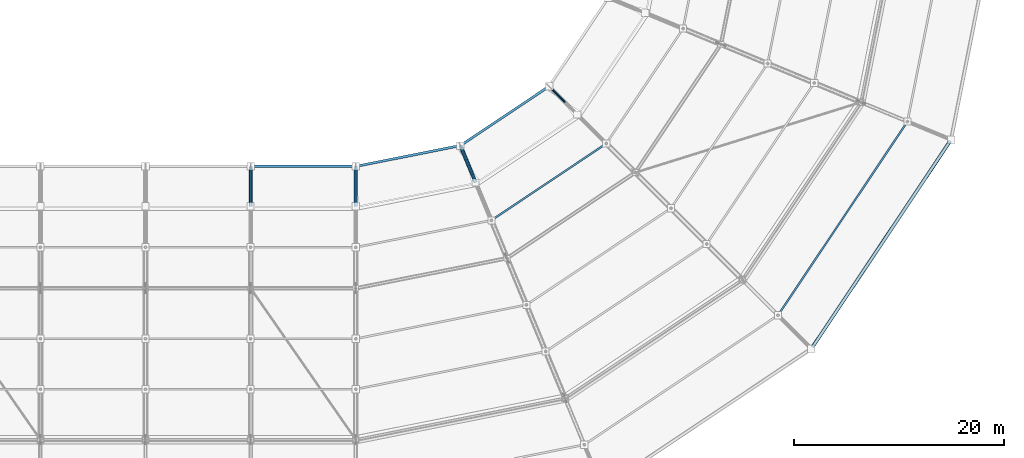
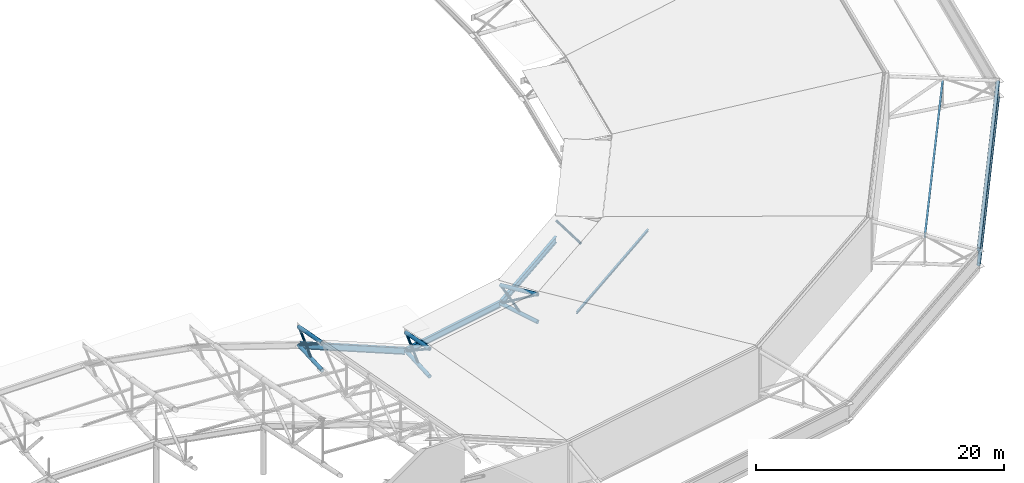
# One storey, part 66 of 146: 17 members, 3 beams.
"""IFC4 building model written with IfcOpenShell, lengths in metres."""

from ifc_helpers import new_model, si_unit, direction, frame, origin, origin_2d, place, context, subcontext, project, spatial, hollow_circle, i_section, extrude, material, material_profile, profile_set, type_object, element, save


model = new_model("IFC4")

# Units and contexts
model_context = context("Model", 3, precision=1e-05, world=origin(), true_north=direction((0.0, 1.0)))
body_context = subcontext(model_context, "Body", "Model", "MODEL_VIEW")
ifc_project = project(units=[si_unit("LENGTHUNIT", "METRE"), si_unit("AREAUNIT", "SQUARE_METRE"), si_unit("VOLUMEUNIT", "CUBIC_METRE"), si_unit("PLANEANGLEUNIT", "RADIAN"), si_unit("MASSUNIT", "GRAM", prefix="KILO")], contexts=[model_context])

# Site, building, storey
site_placement = place(None, origin())
site = spatial("IfcSite", under=ifc_project, at=site_placement, CompositionType="ELEMENT")
building_placement = place(site_placement, origin())
building = spatial("IfcBuilding", under=site, at=building_placement, Name="Candeia Ridge Stadium", CompositionType="ELEMENT")
storey_placement = place(building_placement, frame((0.0, 0.0, 31.800048828125)))
storey = spatial("IfcBuildingStorey", under=building, at=storey_placement, Name="RF", CompositionType="ELEMENT", Elevation=31.800048828125)

# Beams
ifc_material = material(Name="Steel ASTM A572 Grade 50", Category="steel")
ifc_material_profile_1 = material_profile(ifc_material, i_section(OverallWidth=0.22998046875, OverallDepth=0.616943359375, WebThickness=0.01318359375, FlangeThickness=0.022216796875, FilletRadius=0.014892578125, at=origin_2d()), Name="W610x140", Category="steel")
ifc_profile_set_1 = profile_set([ifc_material_profile_1], Name="Steel ASTM A572 Grade 50")
beam_type = type_object("IfcBeamType", Name="Roof Inner Tension Ring Beam W610x140", PredefinedType="BEAM", material=ifc_profile_set_1)
beam_placement = place(storey_placement, frame((131.037109375, 45.0, 2.103271484375), z_axis=(0.925953474799, 0.0, -0.37763760738), x_axis=(0.0, 1.0, 0.0)))
element("IfcBeam", 1, at=beam_placement, inside=storey, type_object=beam_type, Name="Roof inner tension ring beam bay 25", PredefinedType="BEAM", context=body_context, shape_type="SweptSolid", body=[
    extrude(i_section(OverallWidth=0.22998046875, OverallDepth=0.616943359375, WebThickness=0.01318359375, FlangeThickness=0.022216796875, FilletRadius=0.014892578125, at=origin_2d()), origin(), (0.0, 0.0, 1.0), 10.719482421875),
])
for number, where, z_axis, x_axis, name in (
    (2, (141.039306640625, 45.0078125, -1.9599609375), (0.980783534047, 0.195099101337, 0.0), (-0.195099101337, 0.980783534047, 0.0), "Roof inner tension ring beam bay 26"),
    (3, (150.98291015625, 47.00146484375, -1.9599609375), (0.831478882847, 0.555556358418, 0.0), (-0.555556358418, 0.831478882847, 0.0), "Roof inner tension ring beam bay 27"),
):
    element("IfcBeam", number, at=place(storey_placement, frame(where, z_axis=z_axis, x_axis=x_axis)), inside=storey, type_object=beam_type, Name=name, PredefinedType="BEAM", context=body_context, shape_type="SweptSolid", body=[
        extrude(i_section(OverallWidth=0.22998046875, OverallDepth=0.616943359375, WebThickness=0.01318359375, FlangeThickness=0.022216796875, FilletRadius=0.014892578125, at=origin_2d()), origin(), (0.0, 0.0, 1.0), 10.064697265625),
    ])

# Members
ifc_material_profile_2 = material_profile(ifc_material, i_section(OverallWidth=0.1650390625, OverallDepth=0.200927734375, WebThickness=0.006103515625, FlangeThickness=0.01025390625, FilletRadius=0.010009765625, at=origin_2d()), Name="W200x35.9", Category="steel")
ifc_profile_set_2 = profile_set([ifc_material_profile_2], Name="Steel ASTM A572 Grade 50")
member_type_1 = type_object("IfcMemberType", Name="Roof Purlin W200x35.9", PredefinedType="PURLIN", material=ifc_profile_set_2)
member_1_placement = place(storey_placement, frame((153.93798828125, 39.89306640625, 0.3544921875), z_axis=(0.831465523002, 0.555576353042, 0.0), x_axis=(-0.555576353042, 0.831465523002, 0.0)))
element("IfcMember", 4, at=member_1_placement, inside=storey, type_object=member_type_1, Name="Saddle roof steel purlin bay 27-1", PredefinedType="PURLIN", context=body_context, shape_type="SweptSolid", body=[
    extrude(i_section(OverallWidth=0.1650390625, OverallDepth=0.200927734375, WebThickness=0.006103515625, FlangeThickness=0.01025390625, FilletRadius=0.010009765625, at=origin_2d()), origin(), (0.0, 0.0, 1.0), 13.049072265625),
])
member_2_placement = place(storey_placement, frame((181.19140625, 30.8779296875, 3.73828125), z_axis=(0.555570704918, 0.83146929699, 0.0), x_axis=(-0.83146929699, 0.555570704918, 0.0)))
element("IfcMember", 5, at=member_2_placement, inside=storey, type_object=member_type_1, Name="Saddle roof steel purlin bay 28-5", PredefinedType="PURLIN", context=body_context, shape_type="SweptSolid", body=[
    extrude(i_section(OverallWidth=0.1650390625, OverallDepth=0.200927734375, WebThickness=0.006103515625, FlangeThickness=0.01025390625, FilletRadius=0.010009765625, at=origin_2d()), origin(), (0.0, 0.0, 1.0), 22.062255859375),
])
ifc_material_profile_3 = material_profile(ifc_material, hollow_circle(Radius=0.161865234375, WallThickness=0.012451171875, at=origin_2d()), Name="CHS323x12", Category="steel")
ifc_profile_set_3 = profile_set([ifc_material_profile_3], Name="Steel ASTM A572 Grade 50")
member_type_2 = type_object("IfcMemberType", Name="Roof Truss Eaves Chord CHS323x12", PredefinedType="CHORD", material=ifc_profile_set_3)
for number, where, z_axis, x_axis, name in (
    (6, (184.4345703125, 27.787353515625, 3.281005859375), (0.555568940049, 0.831470476236, 0.0), (-0.831470476236, 0.555568940049, 0.0), "Saddle roof outer eaves top ring chord bay 28"),
    (7, (184.4345703125, 27.787353515625, 1.781005859375), (0.555568940049, 0.831470476236, 0.0), (-0.831470476236, 0.555568940049, 0.0), "Saddle roof outer eaves bottom ring chord bay 28"),
):
    element("IfcMember", number, at=place(storey_placement, frame(where, z_axis=z_axis, x_axis=x_axis)), inside=storey, type_object=member_type_2, Name=name, PredefinedType="CHORD", context=body_context, shape_type="SweptSolid", body=[
        extrude(hollow_circle(Radius=0.161865234375, WallThickness=0.012451171875, at=origin_2d()), origin(), (0.0, 0.0, 1.0), 23.59814453125),
    ])
ifc_material_profile_4 = material_profile(ifc_material, hollow_circle(Radius=0.109619140625, WallThickness=0.010009765625, at=origin_2d()), Name="CHS219x10", Category="steel")
ifc_profile_set_4 = profile_set([ifc_material_profile_4], Name="Steel ASTM A572 Grade 50")
member_type_3 = type_object("IfcMemberType", Name="Roof Truss Inner Web Brace CHS219x10", PredefinedType="BRACE", material=ifc_profile_set_4)
member_3_placement = place(storey_placement, frame((131.0, 45.0, 2.118408203125), z_axis=(0.0, -0.835124576935, 0.550060852087), x_axis=(1.0, 0.0, 0.0)))
element("IfcMember", 8, at=member_3_placement, inside=storey, type_object=member_type_3, Name="Roof cantilever truss RT-25 diagonal web 1", PredefinedType="BRACE", context=body_context, shape_type="SweptSolid", body=[
    extrude(hollow_circle(Radius=0.109619140625, WallThickness=0.010009765625, at=origin_2d()), origin(), (0.0, 0.0, 1.0), 4.55029296875),
])
member_4_placement = place(storey_placement, frame((131.0, 42.909912109375, 2.000732421875), z_axis=(0.0, 0.736836090738, 0.676071427725), x_axis=(-1.0, 0.0, 0.0)))
element("IfcMember", 9, at=member_4_placement, inside=storey, type_object=member_type_3, Name="Roof cantilever truss RT-25 vertical post 0", PredefinedType="BRACE", context=body_context, shape_type="SweptSolid", body=[
    extrude(hollow_circle(Radius=0.109619140625, WallThickness=0.010009765625, at=origin_2d()), origin(), (0.0, 0.0, 1.0), 2.836669921875),
])
member_5_placement = place(storey_placement, frame((141.0, 45.0, -1.9599609375), z_axis=(0.0, -0.835124576935, 0.550060852087), x_axis=(1.0, 0.0, 0.0)))
element("IfcMember", 10, at=member_5_placement, inside=storey, type_object=member_type_3, Name="Roof cantilever truss RT-26 diagonal web 1", PredefinedType="BRACE", context=body_context, shape_type="SweptSolid", body=[
    extrude(hollow_circle(Radius=0.109619140625, WallThickness=0.010009765625, at=origin_2d()), origin(), (0.0, 0.0, 1.0), 4.55029296875),
])
member_6_placement = place(storey_placement, frame((141.0, 42.909912109375, -2.077880859375), z_axis=(0.0, 0.736836090738, 0.676071427725), x_axis=(-1.0, 0.0, 0.0)))
element("IfcMember", 11, at=member_6_placement, inside=storey, type_object=member_type_3, Name="Roof cantilever truss RT-26 vertical post 0", PredefinedType="BRACE", context=body_context, shape_type="SweptSolid", body=[
    extrude(hollow_circle(Radius=0.109619140625, WallThickness=0.010009765625, at=origin_2d()), origin(), (0.0, 0.0, 1.0), 2.836669921875),
])
member_7_placement = place(storey_placement, frame((150.94970703125, 46.979248046875, -1.9599609375), z_axis=(0.319616432528, -0.771543444646, 0.550060041343), x_axis=(0.923865699332, 0.382716826907, 0.0)))
element("IfcMember", 12, at=member_7_placement, inside=storey, type_object=member_type_3, Name="Roof cantilever truss RT-27 diagonal web 1", PredefinedType="BRACE", context=body_context, shape_type="SweptSolid", body=[
    extrude(hollow_circle(Radius=0.109619140625, WallThickness=0.010009765625, at=origin_2d()), origin(), (0.0, 0.0, 1.0), 4.55029296875),
])
member_8_placement = place(storey_placement, frame((151.74951171875, 45.048095703125, -2.077880859375), z_axis=(-0.281951829017, 0.680781125618, 0.676047502115), x_axis=(-0.923897258763, -0.382640634603, 0.0)))
element("IfcMember", 13, at=member_8_placement, inside=storey, type_object=member_type_3, Name="Roof cantilever truss RT-27 vertical post 0", PredefinedType="BRACE", context=body_context, shape_type="SweptSolid", body=[
    extrude(hollow_circle(Radius=0.109619140625, WallThickness=0.010009765625, at=origin_2d()), origin(), (0.0, 0.0, 1.0), 2.836669921875),
])
member_9_placement = place(storey_placement, frame((160.862548828125, 51.137451171875, -2.077880859375), z_axis=(-0.521000505983, 0.521000505983, 0.676104241615), x_axis=(-0.707106781187, -0.707106781187, 0.0)))
element("IfcMember", 14, at=member_9_placement, inside=storey, type_object=member_type_3, Name="Roof cantilever truss RT-28 vertical post 0", PredefinedType="BRACE", context=body_context, shape_type="SweptSolid", body=[
    extrude(hollow_circle(Radius=0.109619140625, WallThickness=0.010009765625, at=origin_2d()), origin(), (0.0, 0.0, 1.0), 2.83642578125),
])
ifc_material_profile_5 = material_profile(ifc_material, hollow_circle(Radius=0.177734375, WallThickness=0.01416015625, at=origin_2d()), Name="CHS355x14", Category="steel")
ifc_profile_set_5 = profile_set([ifc_material_profile_5], Name="Steel ASTM A572 Grade 50")
member_type_4 = type_object("IfcMemberType", Name="Roof Truss Tip Chord CHS355x14", PredefinedType="CHORD", material=ifc_profile_set_5)
member_10_placement = place(storey_placement, frame((131.0, 45.0, 3.91845703125), z_axis=(0.0, -0.9833205248, 0.181881130157), x_axis=(1.0, 0.0, 0.0)))
element("IfcMember", 15, at=member_10_placement, inside=storey, type_object=member_type_4, Name="Roof cantilever truss RT-25 top chord 1", PredefinedType="CHORD", context=body_context, shape_type="SweptSolid", body=[
    extrude(hollow_circle(Radius=0.177734375, WallThickness=0.01416015625, at=origin_2d()), origin(), (0.0, 0.0, 1.0), 3.864501953125),
])
member_11_placement = place(storey_placement, frame((131.0, 45.0, 2.118408203125), z_axis=(0.0, -0.998416425934, -0.05625513688), x_axis=(1.0, 0.0, 0.0)))
element("IfcMember", 16, at=member_11_placement, inside=storey, type_object=member_type_4, Name="Roof cantilever truss RT-25 bottom chord 1", PredefinedType="CHORD", context=body_context, shape_type="SweptSolid", body=[
    extrude(hollow_circle(Radius=0.177734375, WallThickness=0.01416015625, at=origin_2d()), origin(), (0.0, 0.0, 1.0), 3.80615234375),
])
member_12_placement = place(storey_placement, frame((141.0, 45.0, -0.16015625), z_axis=(0.0, -0.983309224326, 0.181942214331), x_axis=(1.0, 0.0, 0.0)))
element("IfcMember", 17, at=member_12_placement, inside=storey, type_object=member_type_4, Name="Roof cantilever truss RT-26 top chord 1", PredefinedType="CHORD", context=body_context, shape_type="SweptSolid", body=[
    extrude(hollow_circle(Radius=0.177734375, WallThickness=0.01416015625, at=origin_2d()), origin(), (0.0, 0.0, 1.0), 3.864501953125),
])
member_13_placement = place(storey_placement, frame((141.0, 45.0, -1.9599609375), z_axis=(0.0, -0.99841282113, -0.056319078506), x_axis=(1.0, 0.0, 0.0)))
element("IfcMember", 18, at=member_13_placement, inside=storey, type_object=member_type_4, Name="Roof cantilever truss RT-26 bottom chord 1", PredefinedType="CHORD", context=body_context, shape_type="SweptSolid", body=[
    extrude(hollow_circle(Radius=0.177734375, WallThickness=0.01416015625, at=origin_2d()), origin(), (0.0, 0.0, 1.0), 3.80615234375),
])
member_14_placement = place(storey_placement, frame((150.94970703125, 46.979248046875, -0.16015625), z_axis=(0.376329012529, -0.908445727744, 0.181941842552), x_axis=(0.923865699332, 0.382716826907, 0.0)))
element("IfcMember", 19, at=member_14_placement, inside=storey, type_object=member_type_4, Name="Roof cantilever truss RT-27 top chord 1", PredefinedType="CHORD", context=body_context, shape_type="SweptSolid", body=[
    extrude(hollow_circle(Radius=0.177734375, WallThickness=0.01416015625, at=origin_2d()), origin(), (0.0, 0.0, 1.0), 3.864501953125),
])
member_15_placement = place(storey_placement, frame((150.94970703125, 46.979248046875, -1.9599609375), z_axis=(0.382109389407, -0.922399365398, -0.056318959862), x_axis=(0.923865699332, 0.382716826907, 0.0)))
element("IfcMember", 20, at=member_15_placement, inside=storey, type_object=member_type_4, Name="Roof cantilever truss RT-27 bottom chord 1", PredefinedType="CHORD", context=body_context, shape_type="SweptSolid", body=[
    extrude(hollow_circle(Radius=0.177734375, WallThickness=0.01416015625, at=origin_2d()), origin(), (0.0, 0.0, 1.0), 3.80615234375),
])

save(model, "model.ifc")
